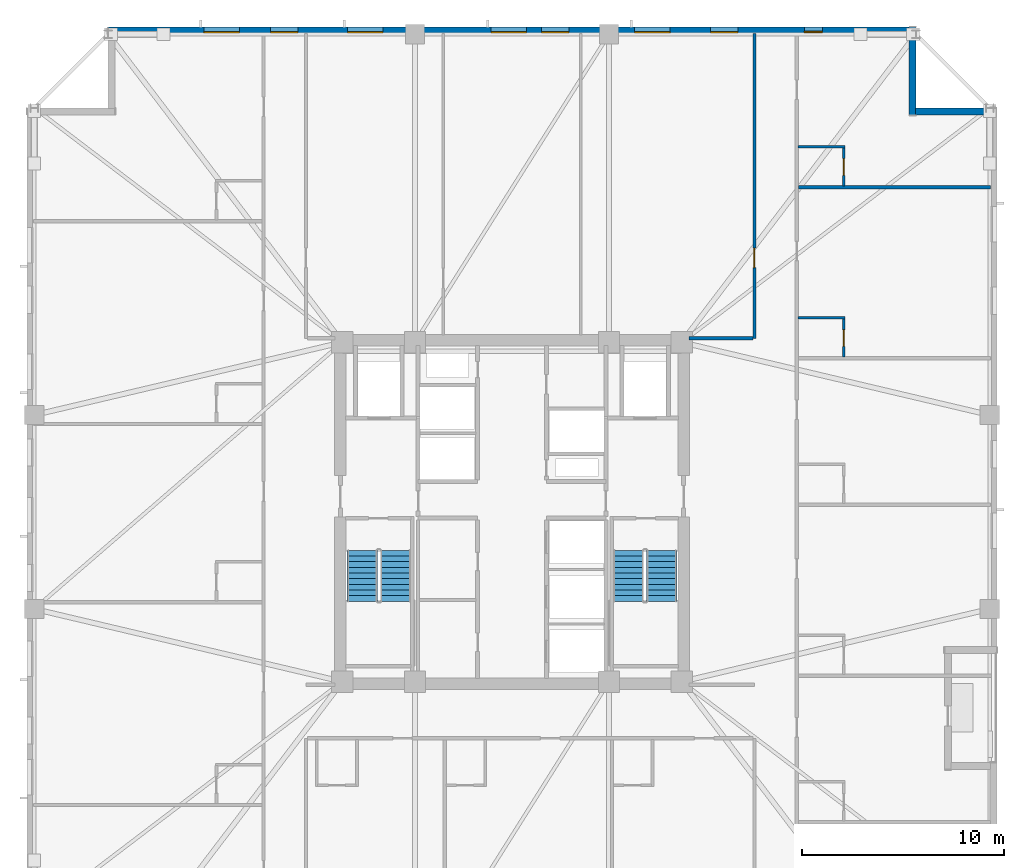
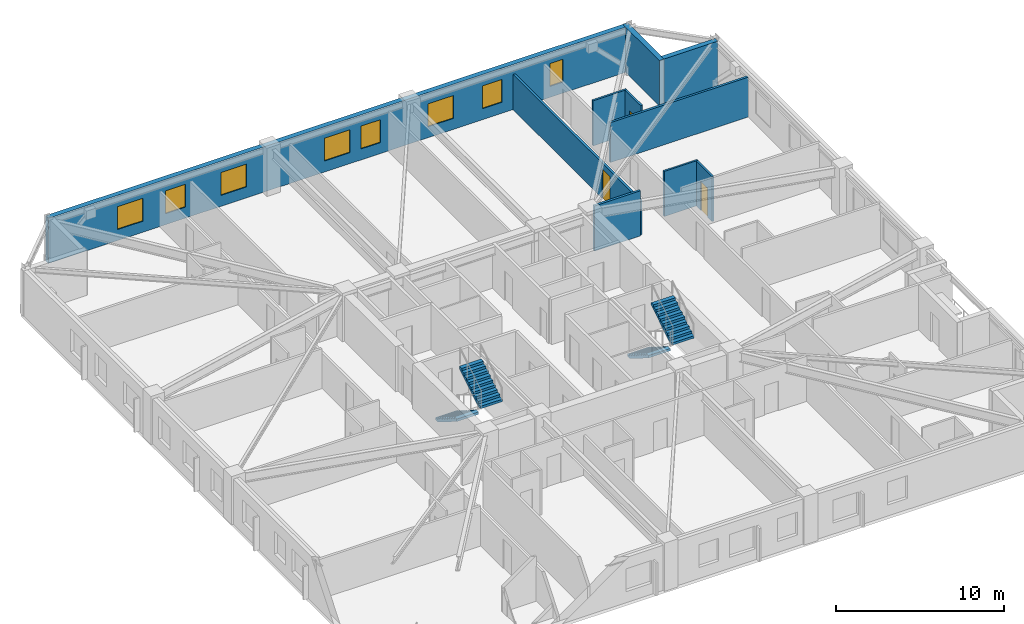
# One storey, part 6 of 11: 10 walls, 8 windows, 4 stair flights, 3 doors, 11 openings, 2 elements without a shape of their own.
"""IFC4 building model written with IfcOpenShell, lengths in metres."""

from ifc_helpers import new_model, si_unit, direction, frame, frame_2d, origin, place, context, subcontext, project, spatial, polyline, rectangle, outline, extrude, material, layer, layer_set, type_object, element, fill, aggregate, save


model = new_model("IFC4")

# Units and contexts
model_context = context("Model", 3, precision=1e-05, world=origin(), true_north=direction((0.0, 1.0)))
body_context = subcontext(model_context, "Body", "Model", "MODEL_VIEW")
ifc_project = project(units=[si_unit("LENGTHUNIT", "METRE"), si_unit("AREAUNIT", "SQUARE_METRE"), si_unit("VOLUMEUNIT", "CUBIC_METRE"), si_unit("PLANEANGLEUNIT", "RADIAN"), si_unit("MASSUNIT", "GRAM", prefix="KILO")], contexts=[model_context])

# Site, building, storey
site_placement = place(None, origin())
site = spatial("IfcSite", under=ifc_project, at=site_placement, CompositionType="ELEMENT")
building_placement = place(site_placement, origin())
building = spatial("IfcBuilding", under=site, at=building_placement, Name="Cairnveth Concourse Tower", CompositionType="ELEMENT")
storey_placement = place(building_placement, frame((0.0, 0.0, 172.5)))
storey = spatial("IfcBuildingStorey", under=building, at=storey_placement, Name="L47", CompositionType="ELEMENT", Elevation=172.5)

# Wall, opening, door
ifc_material_1 = material(Name="Gypsum Plasterboard Partition", Category="gypsum")
ifc_layer_1 = layer(ifc_material_1, 0.159912109375)
ifc_layer_set_1 = layer_set([ifc_layer_1], Name="Gypsum Plasterboard Partition")
wall_type_1 = type_object("IfcWallType", Name="ACOUSTIC PARTY WALL 180", PredefinedType="PARTITIONING", material=ifc_layer_set_1)
wall_1_placement = place(storey_placement, frame((64.0, 47.60009765625, 0.0), z_axis=(0.0, 0.0, 1.0), x_axis=(0.0, 1.0, 0.0)))
wall_1 = element("IfcWall", 1, at=wall_1_placement, inside=storey, type_object=wall_type_1, Name="Interior Wall IW-L47-043", PredefinedType="PARTITIONING", context=body_context, shape_type="SweptSolid", body=[
    extrude(rectangle(XDim=15.074951171875, YDim=0.159912109375, at=frame_2d((7.53759765625, 0.0))), origin(), (0.0, 0.0, 1.0), 2.554931640625),
])
opening_1_placement = place(wall_1_placement, frame((3.5, 0.0, 0.0)))
opening_1 = element("IfcOpeningElement", 2, at=opening_1_placement, cuts=wall_1, Name="Opening ID11", PredefinedType="OPENING", context=body_context, shape_type="SweptSolid", body=[
    extrude(rectangle(XDim=0.9599609375, YDim=2.1201171875, at=frame_2d((0.47998046875, 1.06005859375))), frame((0.0, 0.08984375, 0.0), z_axis=(0.0, -1.0, 0.0), x_axis=(1.0, 0.0, 0.0)), (0.0, 0.0, 1.0), 0.179931640625),
])
ifc_material_2 = material(Name="Solid Core Hardwood Timber Leaf", Category="wood")
door_type_1 = type_object("IfcDoorType", Name="INTERIOR SINGLE DOOR 960X2150", OperationType="NOTDEFINED", PredefinedType="DOOR", material=ifc_material_2)
door_1_placement = place(opening_1_placement, origin())
door_1 = element("IfcDoor", 3, at=door_1_placement, inside=storey, type_object=door_type_1, Name="Interior Door DR-L47-016", OperationType="SINGLE_SWING_RIGHT", OverallHeight=2.1201171875, OverallWidth=0.9599609375, PredefinedType="DOOR", context=body_context, shape_type="SweptSolid", body=[
    extrude(rectangle(XDim=0.9599609375, YDim=2.1201171875, at=frame_2d((0.47998046875, 1.06005859375))), frame((0.0, 0.02490234375, 0.0), z_axis=(0.0, -1.0, 0.0), x_axis=(1.0, 0.0, 0.0)), (0.0, 0.0, 1.0), 0.050048828125),
])
fill(opening_1, door_1)

# Walls
wall_2_placement = place(storey_placement, frame((60.764892578125, 47.60009765625, 0.0), z_axis=(0.0, 0.0, 1.0), x_axis=(1.0, 0.0, 0.0)))
element("IfcWall", 4, at=wall_2_placement, inside=storey, type_object=wall_type_1, Name="Interior Wall IW-L47-045", PredefinedType="PARTITIONING", context=body_context, shape_type="SweptSolid", body=[
    extrude(rectangle(XDim=3.170166015625, YDim=0.159912109375, at=frame_2d((1.5849609375, 0.0))), origin(), (0.0, 0.0, 1.0), 3.280029296875),
])
wall_3_placement = place(storey_placement, frame((66.179931640625, 55.0791015625, 0.0), z_axis=(0.0, 0.0, 1.0), x_axis=(1.0, 0.0, 0.0)))
element("IfcWall", 5, at=wall_3_placement, inside=storey, type_object=wall_type_1, Name="Interior Wall IW-L47-088", PredefinedType="PARTITIONING", context=body_context, shape_type="SweptSolid", body=[
    extrude(rectangle(XDim=9.4951171875, YDim=0.159912109375, at=frame_2d((4.74755859375, 0.0))), origin(), (0.0, 0.0, 1.0), 2.89599609375),
])
ifc_layer_2 = layer(ifc_material_1, 0.1298828125)
ifc_layer_set_2 = layer_set([ifc_layer_2], Name="Gypsum Plasterboard Partition")
wall_type_2 = type_object("IfcWallType", Name="WET AREA PARTITION 140", PredefinedType="PLUMBINGWALL", material=ifc_layer_set_2)
wall_4_placement = place(storey_placement, frame((66.1650390625, 48.611328125, 0.0), z_axis=(0.0, 0.0, 1.0), x_axis=(1.0, 0.0, 0.0)))
element("IfcWall", 6, at=wall_4_placement, inside=storey, type_object=wall_type_2, Name="Interior Wall IW-L47-086", PredefinedType="PLUMBINGWALL", context=body_context, shape_type="SweptSolid", body=[
    extrude(rectangle(XDim=2.31494140625, YDim=0.1298828125, at=frame_2d((1.157470703125, 0.0))), origin(), (0.0, 0.0, 1.0), 3.280029296875),
])

# Wall, opening, door
wall_5_placement = place(storey_placement, frame((68.429931640625, 46.676513671875, 0.0), z_axis=(0.0, 0.0, 1.0), x_axis=(0.0, 1.0, 0.0)))
wall_5 = element("IfcWall", 7, at=wall_5_placement, inside=storey, type_object=wall_type_2, Name="Interior Wall IW-L47-087", PredefinedType="PLUMBINGWALL", context=body_context, shape_type="SweptSolid", body=[
    extrude(rectangle(XDim=1.884765625, YDim=0.1298828125, at=frame_2d((0.9423828125, 0.0))), origin(), (0.0, 0.0, 1.0), 3.280029296875),
])
opening_2_placement = place(wall_5_placement, frame((0.52490234375, 0.0, 0.0)))
opening_2 = element("IfcOpeningElement", 8, at=opening_2_placement, cuts=wall_5, Name="Opening ID22", PredefinedType="OPENING", context=body_context, shape_type="SweptSolid", body=[
    extrude(rectangle(XDim=0.820068359375, YDim=2.10009765625, at=frame_2d((0.41015625, 1.050048828125))), frame((0.0, 0.074951171875, 0.0), z_axis=(0.0, -1.0, 0.0), x_axis=(1.0, 0.0, 0.0)), (0.0, 0.0, 1.0), 0.14990234375),
])
door_type_2 = type_object("IfcDoorType", Name="INTERIOR WC DOOR 820X2100", OperationType="NOTDEFINED", PredefinedType="DOOR", material=ifc_material_2)
door_2_placement = place(opening_2_placement, origin())
door_2 = element("IfcDoor", 9, at=door_2_placement, inside=storey, type_object=door_type_2, Name="En-Suite Door L47-E5", OperationType="SINGLE_SWING_RIGHT", OverallHeight=2.10009765625, OverallWidth=0.820068359375, PredefinedType="DOOR", context=body_context, shape_type="SweptSolid", body=[
    extrude(rectangle(XDim=0.820068359375, YDim=2.10009765625, at=frame_2d((0.41015625, 1.050048828125))), frame((0.0, 0.02490234375, 0.0), z_axis=(0.0, -1.0, 0.0), x_axis=(1.0, 0.0, 0.0)), (0.0, 0.0, 1.0), 0.050048828125),
])
fill(opening_2, door_2)

# Wall
wall_6_placement = place(storey_placement, frame((66.1650390625, 57.0791015625, 0.0), z_axis=(0.0, 0.0, 1.0), x_axis=(1.0, 0.0, 0.0)))
element("IfcWall", 10, at=wall_6_placement, inside=storey, type_object=wall_type_2, Name="Interior Wall IW-L47-089", PredefinedType="PLUMBINGWALL", context=body_context, shape_type="SweptSolid", body=[
    extrude(rectangle(XDim=2.31494140625, YDim=0.1298828125, at=frame_2d((1.157470703125, 0.0))), origin(), (0.0, 0.0, 1.0), 3.280029296875),
])

# Wall, opening, door
wall_7_placement = place(storey_placement, frame((68.429931640625, 55.14404296875, 0.0), z_axis=(0.0, 0.0, 1.0), x_axis=(0.0, 1.0, 0.0)))
wall_7 = element("IfcWall", 11, at=wall_7_placement, inside=storey, type_object=wall_type_2, Name="Interior Wall IW-L47-090", PredefinedType="PLUMBINGWALL", context=body_context, shape_type="SweptSolid", body=[
    extrude(rectangle(XDim=1.885009765625, YDim=0.1298828125, at=frame_2d((0.9423828125, 0.0))), origin(), (0.0, 0.0, 1.0), 3.280029296875),
])
opening_3_placement = place(wall_7_placement, frame((0.52490234375, 0.0, 0.0)))
opening_3 = element("IfcOpeningElement", 12, at=opening_3_placement, cuts=wall_7, Name="Opening ID22", PredefinedType="OPENING", context=body_context, shape_type="SweptSolid", body=[
    extrude(rectangle(XDim=0.820068359375, YDim=2.10009765625, at=frame_2d((0.41015625, 1.050048828125))), frame((0.0, 0.074951171875, 0.0), z_axis=(0.0, -1.0, 0.0), x_axis=(1.0, 0.0, 0.0)), (0.0, 0.0, 1.0), 0.14990234375),
])
door_3_placement = place(opening_3_placement, origin())
door_3 = element("IfcDoor", 13, at=door_3_placement, inside=storey, type_object=door_type_2, Name="En-Suite Door L47-E6", OperationType="SINGLE_SWING_RIGHT", OverallHeight=2.10009765625, OverallWidth=0.820068359375, PredefinedType="DOOR", context=body_context, shape_type="SweptSolid", body=[
    extrude(rectangle(XDim=0.820068359375, YDim=2.10009765625, at=frame_2d((0.41015625, 1.050048828125))), frame((0.0, 0.02490234375, 0.0), z_axis=(0.0, -1.0, 0.0), x_axis=(1.0, 0.0, 0.0)), (0.0, 0.0, 1.0), 0.050048828125),
])
fill(opening_3, door_3)

# Wall, openings, windows
ifc_material_3 = material(Name="Hawthorn Red-Ochre Fired Clay Brick Masonry", Category="masonry")
ifc_layer_3 = layer(ifc_material_3, 0.340087890625)
ifc_layer_set_3 = layer_set([ifc_layer_3], Name="Hawthorn Red-Ochre Fired Clay Brick Masonry")
wall_type_3 = type_object("IfcWallType", Name="ZONE 2 BRICK PIER SPANDREL WALL 340", PredefinedType="SOLIDWALL", material=ifc_layer_set_3)
wall_8_placement = place(storey_placement, frame((32.0, 62.830078125, 0.0), z_axis=(0.0, 0.0, 1.0), x_axis=(1.0, 0.0, 0.0)))
wall_8 = element("IfcWall", 14, at=wall_8_placement, inside=storey, type_object=wall_type_3, Name="Exterior Wall EW-L47-S09", PredefinedType="SOLIDWALL", context=body_context, shape_type="SweptSolid", body=[
    extrude(rectangle(XDim=39.681884765625, YDim=0.340087890625, at=frame_2d((19.8408203125, 0.0))), origin(), (0.0, 0.0, 1.0), 3.280029296875),
])
opening_4_placement = place(wall_8_placement, frame((4.751708984375, 0.0, 0.800048828125)))
opening_4 = element("IfcOpeningElement", 15, at=opening_4_placement, cuts=wall_8, Name="Opening W06", PredefinedType="OPENING", context=body_context, shape_type="SweptSolid", body=[
    extrude(rectangle(XDim=1.75, YDim=1.659912109375, at=frame_2d((0.875, 0.830078125))), frame((0.0, 0.179931640625, 0.0), z_axis=(0.0, -1.0, 0.0), x_axis=(1.0, 0.0, 0.0)), (0.0, 0.0, 1.0), 0.360107421875),
])
opening_5_placement = place(wall_8_placement, frame((8.055419921875, 0.0, 0.800048828125)))
opening_5 = element("IfcOpeningElement", 16, at=opening_5_placement, cuts=wall_8, Name="Opening W02", PredefinedType="OPENING", context=body_context, shape_type="SweptSolid", body=[
    extrude(rectangle(XDim=1.35009765625, YDim=1.659912109375, at=frame_2d((0.675048828125, 0.830078125))), frame((0.0, 0.179931640625, 0.0), z_axis=(0.0, -1.0, 0.0), x_axis=(1.0, 0.0, 0.0)), (0.0, 0.0, 1.0), 0.360107421875),
])
opening_6_placement = place(wall_8_placement, frame((11.85888671875, 0.0, 0.800048828125)))
opening_6 = element("IfcOpeningElement", 17, at=opening_6_placement, cuts=wall_8, Name="Opening W06", PredefinedType="OPENING", context=body_context, shape_type="SweptSolid", body=[
    extrude(rectangle(XDim=1.75, YDim=1.659912109375, at=frame_2d((0.875, 0.830078125))), frame((0.0, 0.179931640625, 0.0), z_axis=(0.0, -1.0, 0.0), x_axis=(1.0, 0.0, 0.0)), (0.0, 0.0, 1.0), 0.360107421875),
])
opening_7_placement = place(wall_8_placement, frame((18.966064453125, 0.0, 0.800048828125)))
opening_7 = element("IfcOpeningElement", 18, at=opening_7_placement, cuts=wall_8, Name="Opening W06", PredefinedType="OPENING", context=body_context, shape_type="SweptSolid", body=[
    extrude(rectangle(XDim=1.75, YDim=1.659912109375, at=frame_2d((0.875, 0.830078125))), frame((0.0, 0.179931640625, 0.0), z_axis=(0.0, -1.0, 0.0), x_axis=(1.0, 0.0, 0.0)), (0.0, 0.0, 1.0), 0.360107421875),
])
opening_8_placement = place(wall_8_placement, frame((21.469482421875, 0.0, 0.800048828125)))
opening_8 = element("IfcOpeningElement", 19, at=opening_8_placement, cuts=wall_8, Name="Opening W02", PredefinedType="OPENING", context=body_context, shape_type="SweptSolid", body=[
    extrude(rectangle(XDim=1.35009765625, YDim=1.659912109375, at=frame_2d((0.675048828125, 0.830078125))), frame((0.0, 0.179931640625, 0.0), z_axis=(0.0, -1.0, 0.0), x_axis=(1.0, 0.0, 0.0)), (0.0, 0.0, 1.0), 0.360107421875),
])
opening_9_placement = place(wall_8_placement, frame((26.072998046875, 0.0, 0.800048828125)))
opening_9 = element("IfcOpeningElement", 20, at=opening_9_placement, cuts=wall_8, Name="Opening W06", PredefinedType="OPENING", context=body_context, shape_type="SweptSolid", body=[
    extrude(rectangle(XDim=1.75, YDim=1.659912109375, at=frame_2d((0.875, 0.830078125))), frame((0.0, 0.179931640625, 0.0), z_axis=(0.0, -1.0, 0.0), x_axis=(1.0, 0.0, 0.0)), (0.0, 0.0, 1.0), 0.360107421875),
])
opening_10_placement = place(wall_8_placement, frame((29.82666015625, 0.0, 0.800048828125)))
opening_10 = element("IfcOpeningElement", 21, at=opening_10_placement, cuts=wall_8, Name="Opening W02", PredefinedType="OPENING", context=body_context, shape_type="SweptSolid", body=[
    extrude(rectangle(XDim=1.35009765625, YDim=1.659912109375, at=frame_2d((0.675048828125, 0.830078125))), frame((0.0, 0.179931640625, 0.0), z_axis=(0.0, -1.0, 0.0), x_axis=(1.0, 0.0, 0.0)), (0.0, 0.0, 1.0), 0.360107421875),
])
opening_11_placement = place(wall_8_placement, frame((34.469970703125, 0.0, 0.800048828125)))
opening_11 = element("IfcOpeningElement", 22, at=opening_11_placement, cuts=wall_8, Name="Opening W13", PredefinedType="OPENING", context=body_context, shape_type="SweptSolid", body=[
    extrude(rectangle(XDim=0.89990234375, YDim=1.659912109375, at=frame_2d((0.449951171875, 0.830078125))), frame((0.0, 0.179931640625, 0.0), z_axis=(0.0, -1.0, 0.0), x_axis=(1.0, 0.0, 0.0)), (0.0, 0.0, 1.0), 0.360107421875),
])
ifc_material_4 = material(Name="Double Glazed Low-E Clear Glass", Category="glass")
window_type_1 = type_object("IfcWindowType", Name="DEEP-SET BEDROOM LANCET WINDOW 900X1750", PartitioningType="DOUBLE_PANEL_VERTICAL", PredefinedType="WINDOW", material=ifc_material_4)
window_1_placement = place(opening_11_placement, origin())
window_1 = element("IfcWindow", 23, at=window_1_placement, inside=storey, type_object=window_type_1, Name="Dwelling Lancet Window L47-DW3", OverallHeight=1.659912109375, OverallWidth=0.89990234375, PartitioningType="SINGLE_PANEL", PredefinedType="WINDOW", context=body_context, shape_type="SweptSolid", body=[
    extrude(rectangle(XDim=0.89990234375, YDim=1.659912109375, at=frame_2d((0.449951171875, 0.830078125))), frame((0.0, -0.0400390625, 0.0), z_axis=(0.0, -1.0, 0.0), x_axis=(1.0, 0.0, 0.0)), (0.0, 0.0, 1.0), 0.06005859375),
])
fill(opening_11, window_1)
window_type_2 = type_object("IfcWindowType", Name="DEEP-SET GOTHIC LANCET WINDOW 1350X1800", PartitioningType="DOUBLE_PANEL_VERTICAL", PredefinedType="WINDOW", material=ifc_material_4)
window_2_placement = place(opening_5_placement, origin())
window_2 = element("IfcWindow", 24, at=window_2_placement, inside=storey, type_object=window_type_2, Name="Gothic Lancet Window L47-9-2", OverallHeight=1.659912109375, OverallWidth=1.35009765625, PartitioningType="SINGLE_PANEL", PredefinedType="WINDOW", context=body_context, shape_type="SweptSolid", body=[
    extrude(rectangle(XDim=1.35009765625, YDim=1.659912109375, at=frame_2d((0.675048828125, 0.830078125))), frame((0.0, -0.050048828125, 0.0), z_axis=(0.0, -1.0, 0.0), x_axis=(1.0, 0.0, 0.0)), (0.0, 0.0, 1.0), 0.06005859375),
])
fill(opening_5, window_2)
window_3_placement = place(opening_8_placement, origin())
window_3 = element("IfcWindow", 25, at=window_3_placement, inside=storey, type_object=window_type_2, Name="Gothic Lancet Window L47-9-6", OverallHeight=1.659912109375, OverallWidth=1.35009765625, PartitioningType="SINGLE_PANEL", PredefinedType="WINDOW", context=body_context, shape_type="SweptSolid", body=[
    extrude(rectangle(XDim=1.35009765625, YDim=1.659912109375, at=frame_2d((0.675048828125, 0.830078125))), frame((0.0, -0.050048828125, 0.0), z_axis=(0.0, -1.0, 0.0), x_axis=(1.0, 0.0, 0.0)), (0.0, 0.0, 1.0), 0.06005859375),
])
fill(opening_8, window_3)
window_4_placement = place(opening_10_placement, origin())
window_4 = element("IfcWindow", 26, at=window_4_placement, inside=storey, type_object=window_type_2, Name="Gothic Lancet Window L47-9-8", OverallHeight=1.659912109375, OverallWidth=1.35009765625, PartitioningType="SINGLE_PANEL", PredefinedType="WINDOW", context=body_context, shape_type="SweptSolid", body=[
    extrude(rectangle(XDim=1.35009765625, YDim=1.659912109375, at=frame_2d((0.675048828125, 0.830078125))), frame((0.0, -0.050048828125, 0.0), z_axis=(0.0, -1.0, 0.0), x_axis=(1.0, 0.0, 0.0)), (0.0, 0.0, 1.0), 0.06005859375),
])
fill(opening_10, window_4)
window_type_3 = type_object("IfcWindowType", Name="DEEP-SET HOTEL SUITE WINDOW 1750X1800", PartitioningType="DOUBLE_PANEL_VERTICAL", PredefinedType="WINDOW", material=ifc_material_4)
window_5_placement = place(opening_4_placement, origin())
window_5 = element("IfcWindow", 27, at=window_5_placement, inside=storey, type_object=window_type_3, Name="Gothic Lancet Window L47-9-1", OverallHeight=1.659912109375, OverallWidth=1.75, PartitioningType="SINGLE_PANEL", PredefinedType="WINDOW", context=body_context, shape_type="SweptSolid", body=[
    extrude(rectangle(XDim=1.75, YDim=1.659912109375, at=frame_2d((0.875, 0.830078125))), frame((0.0, -0.050048828125, 0.0), z_axis=(0.0, -1.0, 0.0), x_axis=(1.0, 0.0, 0.0)), (0.0, 0.0, 1.0), 0.06005859375),
])
fill(opening_4, window_5)
window_6_placement = place(opening_6_placement, origin())
window_6 = element("IfcWindow", 28, at=window_6_placement, inside=storey, type_object=window_type_3, Name="Gothic Lancet Window L47-9-3", OverallHeight=1.659912109375, OverallWidth=1.75, PartitioningType="SINGLE_PANEL", PredefinedType="WINDOW", context=body_context, shape_type="SweptSolid", body=[
    extrude(rectangle(XDim=1.75, YDim=1.659912109375, at=frame_2d((0.875, 0.830078125))), frame((0.0, -0.050048828125, 0.0), z_axis=(0.0, -1.0, 0.0), x_axis=(1.0, 0.0, 0.0)), (0.0, 0.0, 1.0), 0.06005859375),
])
fill(opening_6, window_6)
window_7_placement = place(opening_7_placement, origin())
window_7 = element("IfcWindow", 29, at=window_7_placement, inside=storey, type_object=window_type_3, Name="Gothic Lancet Window L47-9-5", OverallHeight=1.659912109375, OverallWidth=1.75, PartitioningType="SINGLE_PANEL", PredefinedType="WINDOW", context=body_context, shape_type="SweptSolid", body=[
    extrude(rectangle(XDim=1.75, YDim=1.659912109375, at=frame_2d((0.875, 0.830078125))), frame((0.0, -0.050048828125, 0.0), z_axis=(0.0, -1.0, 0.0), x_axis=(1.0, 0.0, 0.0)), (0.0, 0.0, 1.0), 0.06005859375),
])
fill(opening_7, window_7)
window_8_placement = place(opening_9_placement, origin())
window_8 = element("IfcWindow", 30, at=window_8_placement, inside=storey, type_object=window_type_3, Name="Gothic Lancet Window L47-9-7", OverallHeight=1.659912109375, OverallWidth=1.75, PartitioningType="SINGLE_PANEL", PredefinedType="WINDOW", context=body_context, shape_type="SweptSolid", body=[
    extrude(rectangle(XDim=1.75, YDim=1.659912109375, at=frame_2d((0.875, 0.830078125))), frame((0.0, -0.050048828125, 0.0), z_axis=(0.0, -1.0, 0.0), x_axis=(1.0, 0.0, 0.0)), (0.0, 0.0, 1.0), 0.06005859375),
])
fill(opening_9, window_8)

# Walls
wall_9_placement = place(storey_placement, frame((71.830078125, 63.0, 0.0), z_axis=(0.0, 0.0, 1.0), x_axis=(0.0, -1.0, 0.0)))
element("IfcWall", 31, at=wall_9_placement, inside=storey, type_object=wall_type_3, Name="Exterior Wall EW-L47-S10", PredefinedType="SOLIDWALL", context=body_context, shape_type="SweptSolid", body=[
    extrude(rectangle(XDim=4.340087890625, YDim=0.340087890625, at=frame_2d((2.169921875, 0.0))), origin(), (0.0, 0.0, 1.0), 3.280029296875),
])
wall_10_placement = place(storey_placement, frame((71.97802734375, 58.830078125, 0.0), z_axis=(0.0, 0.0, 1.0), x_axis=(1.0, 0.0, 0.0)))
element("IfcWall", 32, at=wall_10_placement, inside=storey, type_object=wall_type_3, Name="Exterior Wall EW-L47-S11", PredefinedType="SOLIDWALL", context=body_context, shape_type="SweptSolid", body=[
    extrude(rectangle(XDim=3.703857421875, YDim=0.340087890625, at=frame_2d((1.85205078125, 0.0))), origin(), (0.0, 0.0, 1.0), 3.280029296875),
])

# Stair, stair flights
ifc_material_5 = material(Name="Precast concrete N50 (50 MPa)", Category="concrete")
stair_type = type_object("IfcStairType", Name="CORE DOG-LEG FIRE STAIR 1500", PredefinedType="HALF_TURN_STAIR", material=ifc_material_5)
stair_1_placement = place(storey_placement, origin())
stair_1 = element("IfcStair", 33, at=stair_1_placement, inside=storey, type_object=stair_type, Name="L47 Fire-Isolated Stair ST-1", PredefinedType="HALF_TURN_STAIR")
stair_flight_type = type_object("IfcStairFlightType", Name="PRECAST CONCRETE STAIR FLIGHT 1500", PredefinedType="STRAIGHT", material=ifc_material_5)
stair_flight_1_placement = place(storey_placement, frame((44.590087890625, 37.10009765625, 0.0), z_axis=(0.0, 0.0, 1.0), x_axis=(0.0, -1.0, 0.0)))
stair_flight_1 = element("IfcStairFlight", 34, at=stair_flight_1_placement, type_object=stair_flight_type, Name="ST-1 flight 1", NumberOfRisers=10, NumberOfTreads=9, PredefinedType="STRAIGHT", RiserHeight=0.175, TreadLength=0.28, context=body_context, shape_type="SweptSolid", body=[
    extrude(outline(polyline([(0.0, 0.0), (0.0, 0.175048828125), (0.280029296875, 0.175048828125), (0.280029296875, 0.35009765625), (0.56005859375, 0.35009765625), (0.56005859375, 0.52490234375), (0.840087890625, 0.52490234375), (0.840087890625, 0.699951171875), (1.1201171875, 0.699951171875), (1.1201171875, 0.875), (1.39990234375, 0.875), (1.39990234375, 1.050048828125), (1.679931640625, 1.050048828125), (1.679931640625, 1.22509765625), (1.9599609375, 1.22509765625), (1.9599609375, 1.39990234375), (2.239990234375, 1.39990234375), (2.239990234375, 1.574951171875), (2.52001953125, 1.574951171875), (2.52001953125, 1.75), (2.52001953125, 1.398193359375), (0.28271484375, 0.0), (0.0, 0.0)])), frame((0.0, 0.75, 0.0), z_axis=(0.0, -1.0, 0.0), x_axis=(1.0, 0.0, 0.0)), (0.0, 0.0, 1.0), 1.5),
])
stair_flight_2_placement = place(storey_placement, frame((46.22998046875, 34.580078125, 1.75), z_axis=(0.0, 0.0, 1.0), x_axis=(0.0, 1.0, 0.0)))
stair_flight_2 = element("IfcStairFlight", 35, at=stair_flight_2_placement, type_object=stair_flight_type, Name="ST-1 flight 2", NumberOfRisers=10, NumberOfTreads=9, PredefinedType="STRAIGHT", RiserHeight=0.175, TreadLength=0.28, context=body_context, shape_type="SweptSolid", body=[
    extrude(outline(polyline([(0.0, 0.0), (0.0, 0.175048828125), (0.280029296875, 0.175048828125), (0.280029296875, 0.35009765625), (0.56005859375, 0.35009765625), (0.56005859375, 0.52490234375), (0.840087890625, 0.52490234375), (0.840087890625, 0.699951171875), (1.1201171875, 0.699951171875), (1.1201171875, 0.875), (1.39990234375, 0.875), (1.39990234375, 1.050048828125), (1.679931640625, 1.050048828125), (1.679931640625, 1.22509765625), (1.9599609375, 1.22509765625), (1.9599609375, 1.39990234375), (2.239990234375, 1.39990234375), (2.239990234375, 1.574951171875), (2.52001953125, 1.574951171875), (2.52001953125, 1.75), (2.52001953125, 1.398193359375), (0.28271484375, 0.0), (0.0, 0.0)])), frame((0.0, 0.75, 0.0), z_axis=(0.0, -1.0, 0.0), x_axis=(1.0, 0.0, 0.0)), (0.0, 0.0, 1.0), 1.5),
])
aggregate(stair_1, [stair_flight_1, stair_flight_2])

stair_2_placement = place(storey_placement, origin())
stair_2 = element("IfcStair", 36, at=stair_2_placement, inside=storey, type_object=stair_type, Name="L47 Fire-Isolated Stair ST-2", PredefinedType="HALF_TURN_STAIR")
stair_flight_3_placement = place(storey_placement, frame((57.77001953125, 37.10009765625, 0.0), z_axis=(0.0, 0.0, 1.0), x_axis=(0.0, -1.0, 0.0)))
stair_flight_3 = element("IfcStairFlight", 37, at=stair_flight_3_placement, type_object=stair_flight_type, Name="ST-2 flight 1", NumberOfRisers=10, NumberOfTreads=9, PredefinedType="STRAIGHT", RiserHeight=0.175, TreadLength=0.28, context=body_context, shape_type="SweptSolid", body=[
    extrude(outline(polyline([(0.0, 0.0), (0.0, 0.175048828125), (0.280029296875, 0.175048828125), (0.280029296875, 0.35009765625), (0.56005859375, 0.35009765625), (0.56005859375, 0.52490234375), (0.840087890625, 0.52490234375), (0.840087890625, 0.699951171875), (1.1201171875, 0.699951171875), (1.1201171875, 0.875), (1.39990234375, 0.875), (1.39990234375, 1.050048828125), (1.679931640625, 1.050048828125), (1.679931640625, 1.22509765625), (1.9599609375, 1.22509765625), (1.9599609375, 1.39990234375), (2.239990234375, 1.39990234375), (2.239990234375, 1.574951171875), (2.52001953125, 1.574951171875), (2.52001953125, 1.75), (2.52001953125, 1.398193359375), (0.28271484375, 0.0), (0.0, 0.0)])), frame((0.0, 0.75, 0.0), z_axis=(0.0, -1.0, 0.0), x_axis=(1.0, 0.0, 0.0)), (0.0, 0.0, 1.0), 1.5),
])
stair_flight_4_placement = place(storey_placement, frame((59.409912109375, 34.580078125, 1.75), z_axis=(0.0, 0.0, 1.0), x_axis=(0.0, 1.0, 0.0)))
stair_flight_4 = element("IfcStairFlight", 38, at=stair_flight_4_placement, type_object=stair_flight_type, Name="ST-2 flight 2", NumberOfRisers=10, NumberOfTreads=9, PredefinedType="STRAIGHT", RiserHeight=0.175, TreadLength=0.28, context=body_context, shape_type="SweptSolid", body=[
    extrude(outline(polyline([(0.0, 0.0), (0.0, 0.175048828125), (0.280029296875, 0.175048828125), (0.280029296875, 0.35009765625), (0.56005859375, 0.35009765625), (0.56005859375, 0.52490234375), (0.840087890625, 0.52490234375), (0.840087890625, 0.699951171875), (1.1201171875, 0.699951171875), (1.1201171875, 0.875), (1.39990234375, 0.875), (1.39990234375, 1.050048828125), (1.679931640625, 1.050048828125), (1.679931640625, 1.22509765625), (1.9599609375, 1.22509765625), (1.9599609375, 1.39990234375), (2.239990234375, 1.39990234375), (2.239990234375, 1.574951171875), (2.52001953125, 1.574951171875), (2.52001953125, 1.75), (2.52001953125, 1.398193359375), (0.28271484375, 0.0), (0.0, 0.0)])), frame((0.0, 0.75, 0.0), z_axis=(0.0, -1.0, 0.0), x_axis=(1.0, 0.0, 0.0)), (0.0, 0.0, 1.0), 1.5),
])
aggregate(stair_2, [stair_flight_3, stair_flight_4])

save(model, "model.ifc")
